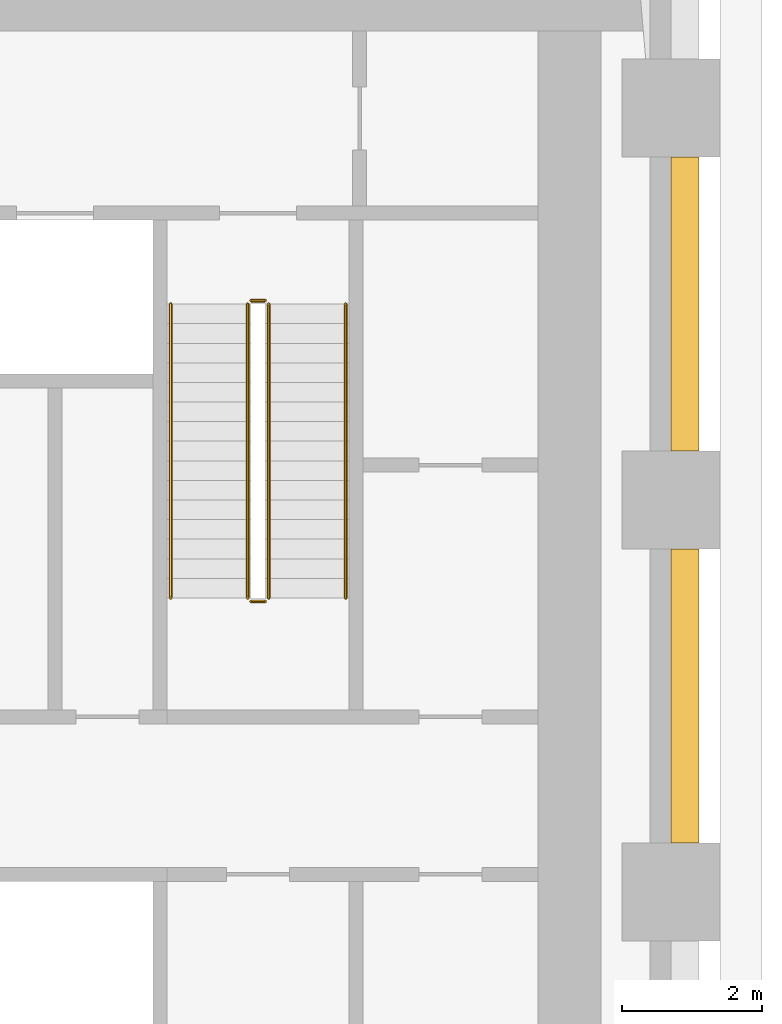
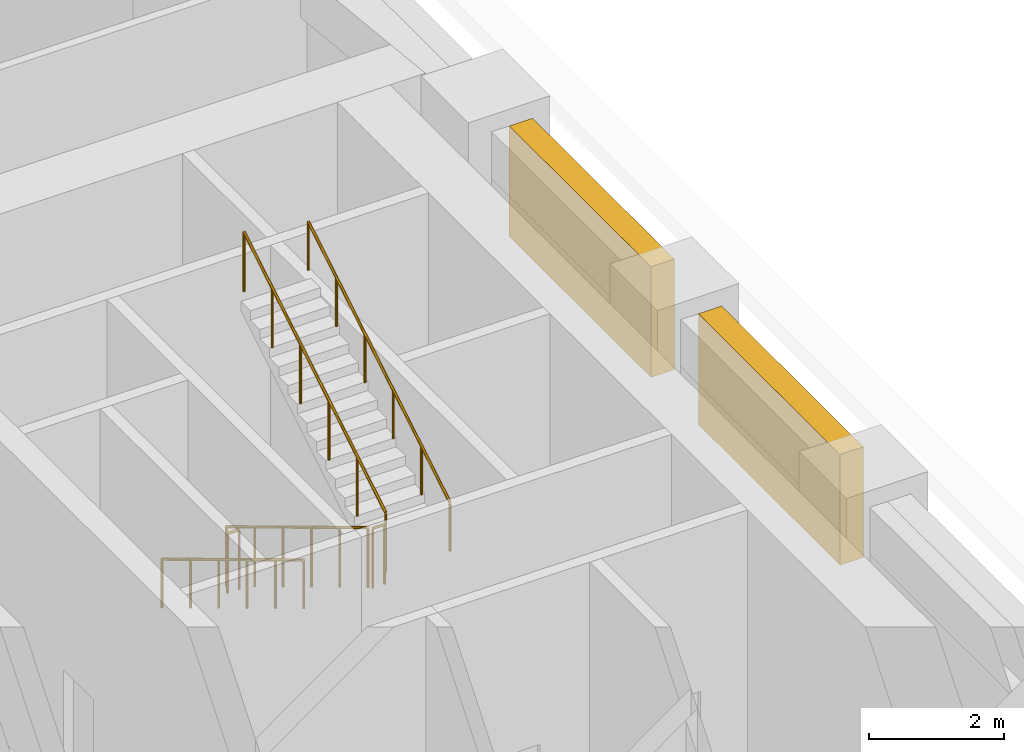
# One storey, part 13 of 14: 6 railings, 2 coverings.
"""IFC4 building model written with IfcOpenShell, lengths in metres."""

from ifc_helpers import new_model, si_unit, direction, frame, origin, origin_2d, place, context, subcontext, project, spatial, rectangle, circle, extrude, material, type_object, element, save


model = new_model("IFC4")

# Units and contexts
model_context = context("Model", 3, precision=1e-05, world=origin(), true_north=direction((0.0, 1.0)))
body_context = subcontext(model_context, "Body", "Model", "MODEL_VIEW")
ifc_project = project(units=[si_unit("LENGTHUNIT", "METRE"), si_unit("AREAUNIT", "SQUARE_METRE"), si_unit("VOLUMEUNIT", "CUBIC_METRE"), si_unit("PLANEANGLEUNIT", "RADIAN"), si_unit("MASSUNIT", "GRAM", prefix="KILO")], contexts=[model_context])

# Site, building, storey
site_placement = place(None, origin())
site = spatial("IfcSite", under=ifc_project, at=site_placement, CompositionType="ELEMENT")
building_placement = place(site_placement, origin())
building = spatial("IfcBuilding", under=site, at=building_placement, Name="Kiln Ring Residences", CompositionType="ELEMENT")
storey_placement = place(building_placement, frame((0.0, 0.0, 77.89990234375)))
storey = spatial("IfcBuildingStorey", under=building, at=storey_placement, Name="L19", CompositionType="ELEMENT", Elevation=77.89990234375)

# Railings
ifc_material_1 = material(Name="Stainless steel", Category="steel")
railing_type_1 = type_object("IfcRailingType", Name="CORE-STAIR-GUARD", PredefinedType="GUARDRAIL", material=ifc_material_1)
railing_1_placement = place(storey_placement, frame((21.949951171875, 8.39990234375, 0.1689453125)))
element("IfcRailing", 1, at=railing_1_placement, inside=storey, type_object=railing_type_1, Name="L19 E-STN stair guard 1", PredefinedType="GUARDRAIL", context=body_context, shape_type="SweptSolid", body=[
    extrude(circle(Radius=0.02392578125, at=origin_2d()), frame((0.0, 0.0, 1.076171875), z_axis=(0.0, -0.856476492594, 0.516186030065), x_axis=(1.0, 0.0, 0.0)), (0.0, 0.0, 1.0), 4.90380859375),
    extrude(circle(Radius=0.02099609375, at=origin_2d()), origin(), (0.0, 0.0, 1.0), 1.052001953125),
    extrude(circle(Radius=0.02099609375, at=origin_2d()), frame((0.0, -0.840087890625, 0.50634765625)), (0.0, 0.0, 1.0), 1.052001953125),
    extrude(circle(Radius=0.02099609375, at=origin_2d()), frame((0.0, -1.679931640625, 1.012451171875)), (0.0, 0.0, 1.0), 1.052001953125),
    extrude(circle(Radius=0.02099609375, at=origin_2d()), frame((0.0, -2.52001953125, 1.518798828125)), (0.0, 0.0, 1.0), 1.052001953125),
    extrude(circle(Radius=0.02099609375, at=origin_2d()), frame((0.0, -3.35986328125, 2.02490234375)), (0.0, 0.0, 1.0), 1.052001953125),
    extrude(circle(Radius=0.02099609375, at=origin_2d()), frame((0.0, -4.199951171875, 2.53125)), (0.0, 0.0, 1.0), 1.052001953125),
])
railing_2_placement = place(storey_placement, frame((22.0, 4.14990234375, 2.7001953125)))
element("IfcRailing", 2, at=railing_2_placement, inside=storey, type_object=railing_type_1, Name="L19 E-STN stair guard 2", PredefinedType="GUARDRAIL", context=body_context, shape_type="SweptSolid", body=[
    extrude(circle(Radius=0.02392578125, at=origin_2d()), frame((0.0, 0.0, 1.076171875), z_axis=(1.0, 0.0, 0.0), x_axis=(0.0, 1.0, 0.0)), (0.0, 0.0, 1.0), 0.199951171875),
    extrude(circle(Radius=0.02099609375, at=origin_2d()), origin(), (0.0, 0.0, 1.0), 1.052001953125),
    extrude(circle(Radius=0.02099609375, at=origin_2d()), frame((0.199951171875, 0.0, 0.0)), (0.0, 0.0, 1.0), 1.052001953125),
])
railing_3_placement = place(storey_placement, frame((22.25, 4.199951171875, 2.868896484375)))
element("IfcRailing", 3, at=railing_3_placement, inside=storey, type_object=railing_type_1, Name="L19 E-STN stair guard 3", PredefinedType="GUARDRAIL", context=body_context, shape_type="SweptSolid", body=[
    extrude(circle(Radius=0.02392578125, at=origin_2d()), frame((0.0, 0.0, 1.076171875), z_axis=(0.0, 0.856476492594, 0.516186030065), x_axis=(-1.0, 0.0, 0.0)), (0.0, 0.0, 1.0), 4.90380859375),
    extrude(circle(Radius=0.02099609375, at=origin_2d()), origin(), (0.0, 0.0, 1.0), 1.052001953125),
    extrude(circle(Radius=0.02099609375, at=origin_2d()), frame((0.0, 0.840087890625, 0.50634765625)), (0.0, 0.0, 1.0), 1.052001953125),
    extrude(circle(Radius=0.02099609375, at=origin_2d()), frame((0.0, 1.679931640625, 1.012451171875)), (0.0, 0.0, 1.0), 1.052001953125),
    extrude(circle(Radius=0.02099609375, at=origin_2d()), frame((0.0, 2.52001953125, 1.518798828125)), (0.0, 0.0, 1.0), 1.052001953125),
    extrude(circle(Radius=0.02099609375, at=origin_2d()), frame((0.0, 3.35986328125, 2.02490234375)), (0.0, 0.0, 1.0), 1.052001953125),
    extrude(circle(Radius=0.02099609375, at=origin_2d()), frame((0.0, 4.199951171875, 2.53125)), (0.0, 0.0, 1.0), 1.052001953125),
])
railing_4_placement = place(storey_placement, frame((22.0, 8.449951171875, 0.0)))
element("IfcRailing", 4, at=railing_4_placement, inside=storey, type_object=railing_type_1, Name="L19 E-STN stair guard 4", PredefinedType="GUARDRAIL", context=body_context, shape_type="SweptSolid", body=[
    extrude(circle(Radius=0.02392578125, at=origin_2d()), frame((0.0, 0.0, 1.076171875), z_axis=(1.0, 0.0, 0.0), x_axis=(0.0, 1.0, 0.0)), (0.0, 0.0, 1.0), 0.199951171875),
    extrude(circle(Radius=0.02099609375, at=origin_2d()), origin(), (0.0, 0.0, 1.0), 1.052001953125),
    extrude(circle(Radius=0.02099609375, at=origin_2d()), frame((0.199951171875, 0.0, 0.0)), (0.0, 0.0, 1.0), 1.052001953125),
])
ifc_material_2 = material(Name="Stainless steel", Category="steel")
railing_type_2 = type_object("IfcRailingType", Name="CORE-STAIR-HANDRAIL", PredefinedType="HANDRAIL", material=ifc_material_2)
railing_5_placement = place(storey_placement, frame((20.85009765625, 8.39990234375, 0.1689453125)))
element("IfcRailing", 5, at=railing_5_placement, inside=storey, type_object=railing_type_2, Name="L19 E-STN stair handrail 1", PredefinedType="HANDRAIL", context=body_context, shape_type="SweptSolid", body=[
    extrude(circle(Radius=0.02392578125, at=origin_2d()), frame((0.0, 0.0, 0.8759765625), z_axis=(0.0, -0.856476492594, 0.516186030065), x_axis=(1.0, 0.0, 0.0)), (0.0, 0.0, 1.0), 4.90380859375),
    extrude(circle(Radius=0.02099609375, at=origin_2d()), origin(), (0.0, 0.0, 1.0), 0.851806640625),
    extrude(circle(Radius=0.02099609375, at=origin_2d()), frame((0.0, -0.840087890625, 0.50634765625)), (0.0, 0.0, 1.0), 0.851806640625),
    extrude(circle(Radius=0.02099609375, at=origin_2d()), frame((0.0, -1.679931640625, 1.012451171875)), (0.0, 0.0, 1.0), 0.851806640625),
    extrude(circle(Radius=0.02099609375, at=origin_2d()), frame((0.0, -2.52001953125, 1.518798828125)), (0.0, 0.0, 1.0), 0.851806640625),
    extrude(circle(Radius=0.02099609375, at=origin_2d()), frame((0.0, -3.35986328125, 2.02490234375)), (0.0, 0.0, 1.0), 0.851806640625),
    extrude(circle(Radius=0.02099609375, at=origin_2d()), frame((0.0, -4.199951171875, 2.53125)), (0.0, 0.0, 1.0), 0.851806640625),
])
railing_6_placement = place(storey_placement, frame((23.35009765625, 4.199951171875, 2.868896484375)))
element("IfcRailing", 6, at=railing_6_placement, inside=storey, type_object=railing_type_2, Name="L19 E-STN stair handrail 2", PredefinedType="HANDRAIL", context=body_context, shape_type="SweptSolid", body=[
    extrude(circle(Radius=0.02392578125, at=origin_2d()), frame((0.0, 0.0, 0.8759765625), z_axis=(0.0, 0.856476492594, 0.516186030065), x_axis=(-1.0, 0.0, 0.0)), (0.0, 0.0, 1.0), 4.90380859375),
    extrude(circle(Radius=0.02099609375, at=origin_2d()), origin(), (0.0, 0.0, 1.0), 0.851806640625),
    extrude(circle(Radius=0.02099609375, at=origin_2d()), frame((0.0, 0.840087890625, 0.50634765625)), (0.0, 0.0, 1.0), 0.851806640625),
    extrude(circle(Radius=0.02099609375, at=origin_2d()), frame((0.0, 1.679931640625, 1.012451171875)), (0.0, 0.0, 1.0), 0.851806640625),
    extrude(circle(Radius=0.02099609375, at=origin_2d()), frame((0.0, 2.52001953125, 1.518798828125)), (0.0, 0.0, 1.0), 0.851806640625),
    extrude(circle(Radius=0.02099609375, at=origin_2d()), frame((0.0, 3.35986328125, 2.02490234375)), (0.0, 0.0, 1.0), 0.851806640625),
    extrude(circle(Radius=0.02099609375, at=origin_2d()), frame((0.0, 4.199951171875, 2.53125)), (0.0, 0.0, 1.0), 0.851806640625),
])

# Coverings
ifc_material_3 = material(Name="Concrete C35/45, exposed aggregate finish", Category="concrete")
covering_type = type_object("IfcCoveringType", Name="TIE BAND 2000 x 400", PredefinedType="CLADDING", material=ifc_material_3)
for number, where, z_axis, x_axis, name in (
    (7, (28.199951171875, 2.800048828125, 3.10009765625), (0.0, 0.0, 1.0), (0.0, 1.0, 0.0), "TIE BAND L19"),
    (8, (28.199951171875, 8.39990234375, 3.10009765625), (0.0, 0.0, 1.0), (0.0, 1.0, 0.0), "TIE BAND L19"),
):
    element("IfcCovering", number, at=place(storey_placement, frame(where, z_axis=z_axis, x_axis=x_axis)), inside=storey, type_object=covering_type, Name=name, PredefinedType="CLADDING", context=body_context, shape_type="SweptSolid", body=[
        extrude(rectangle(XDim=4.199951171875, YDim=0.39990234375, at=origin_2d()), origin(), (0.0, 0.0, 1.0), 2.0),
    ])

save(model, "model.ifc")
